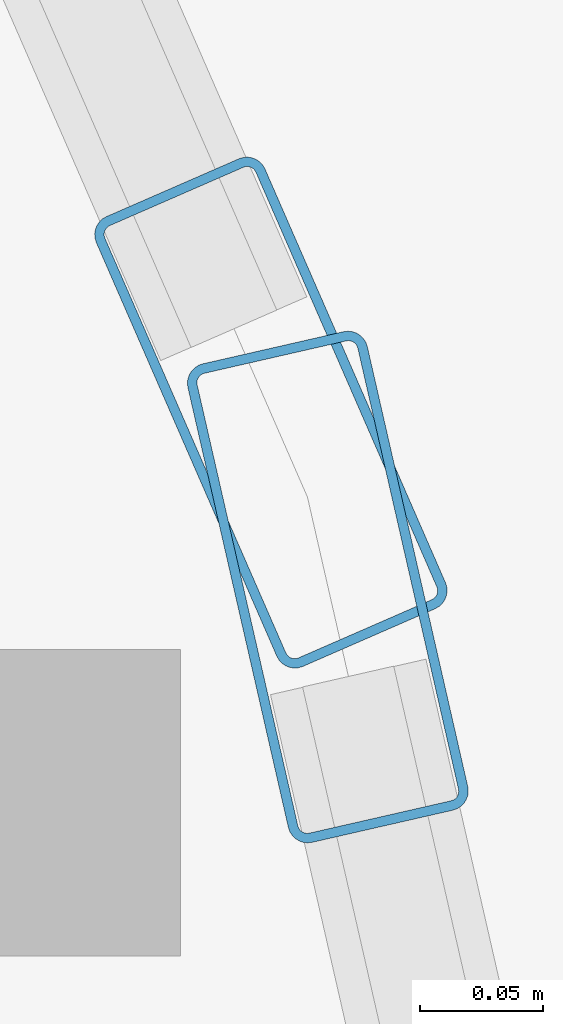
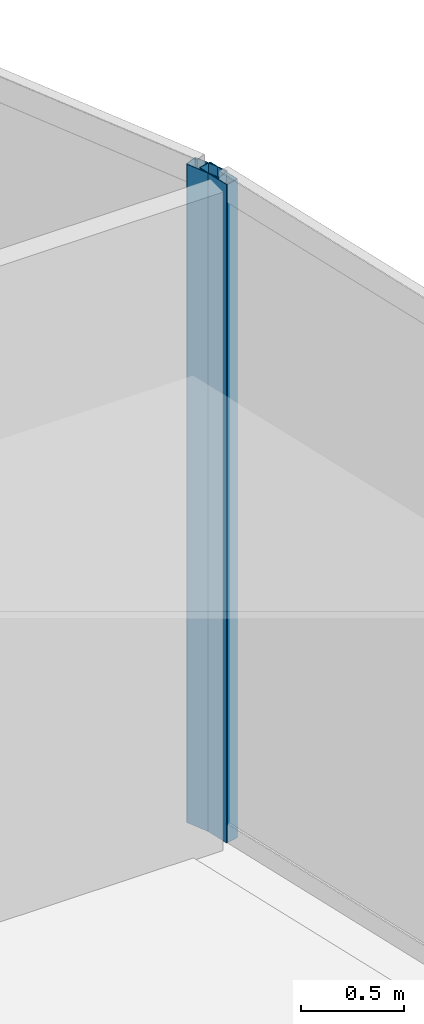
# One storey, part 22 of 34: 2 members, 2 elements without a shape of their own.
"""IFC4 building model written with IfcOpenShell, lengths in metres."""

from ifc_helpers import new_model, si_unit, direction, frame, origin, origin_2d, place, context, subcontext, project, spatial, hollow_rectangle, extrude, material, layer, layer_set, material_profile, profile_set, type_object, element, aggregate, save


model = new_model("IFC4")

# Units and contexts
model_context = context("Model", 3, precision=1e-05, world=origin(), true_north=direction((0.0, 1.0)))
body_context = subcontext(model_context, "Body", "Model", "MODEL_VIEW")
ifc_project = project(units=[si_unit("LENGTHUNIT", "METRE"), si_unit("AREAUNIT", "SQUARE_METRE"), si_unit("VOLUMEUNIT", "CUBIC_METRE"), si_unit("PLANEANGLEUNIT", "RADIAN"), si_unit("MASSUNIT", "GRAM", prefix="KILO")], contexts=[model_context])

# Site, building, storey
site_placement = place(None, origin())
site = spatial("IfcSite", under=ifc_project, at=site_placement, CompositionType="ELEMENT")
building_placement = place(site_placement, origin())
building = spatial("IfcBuilding", under=site, at=building_placement, Name="Qorvath Tower", CompositionType="ELEMENT")
storey_placement = place(building_placement, frame((0.0, 0.0, 276.60009765625)))
storey = spatial("IfcBuildingStorey", under=building, at=storey_placement, Name="L64", CompositionType="ELEMENT", Elevation=276.60009765625)

# Curtain wall, member
ifc_material_1 = material(Name="Anodised aluminium and triple low-E glass", Category="aluminium")
ifc_layer = layer(ifc_material_1, 0.179931640625)
ifc_layer_set = layer_set([ifc_layer], Name="CW-SYS-4")
curtain_wall_type = type_object("IfcCurtainWallType", Name="CW-SYS-4", PredefinedType="NOTDEFINED", material=ifc_layer_set)
curtain_wall_1_placement = place(storey_placement, origin())
curtain_wall_1 = element("IfcCurtainWall", 1, at=curtain_wall_1_placement, inside=storey, type_object=curtain_wall_type, Name="Curtain Wall CW-4 CW-T-L64-11.1", PredefinedType="NOTDEFINED")
ifc_material_2 = material(Name="Anodised aluminium 6063-T6", Category="aluminium")
ifc_material_profile = material_profile(ifc_material_2, hollow_rectangle(XDim=0.074951171875, YDim=0.199951171875, WallThickness=0.00390625, InnerFilletRadius=0.00390625, OuterFilletRadius=0.008056640625, at=origin_2d()), Name="CWM 200x75")
ifc_profile_set = profile_set([ifc_material_profile], Name="Anodised aluminium 6063-T6")
member_type = type_object("IfcMemberType", Name="CWM-200", PredefinedType="MULLION", material=ifc_profile_set)
member_1_placement = place(storey_placement, frame((-3.2080078125, 9.031005859375, 0.0), z_axis=(0.0, 0.0, 1.0), x_axis=(-0.974911683446, -0.222592024744, 0.0)))
member_1 = element("IfcMember", 2, at=member_1_placement, type_object=member_type, Name="CW-4 mullion 2", PredefinedType="MULLION", context=body_context, shape_type="SweptSolid", body=[
    extrude(hollow_rectangle(XDim=0.074951171875, YDim=0.199951171875, WallThickness=0.00390625, InnerFilletRadius=0.00390625, OuterFilletRadius=0.008056640625, at=origin_2d()), origin(), (0.0, 0.0, 1.0), 3.909912109375),
])
aggregate(curtain_wall_1, [member_1])

curtain_wall_2_placement = place(storey_placement, origin())
curtain_wall_2 = element("IfcCurtainWall", 3, at=curtain_wall_2_placement, inside=storey, type_object=curtain_wall_type, Name="Curtain Wall CW-4 CW-T-L64-12.1", PredefinedType="NOTDEFINED")
member_2_placement = place(storey_placement, frame((-3.231201171875, 9.10205078125, 0.0), z_axis=(0.0, 0.0, 1.0), x_axis=(-0.91655883173, -0.399899872441, 0.0)))
member_2 = element("IfcMember", 4, at=member_2_placement, type_object=member_type, Name="CW-4 mullion 1", PredefinedType="MULLION", context=body_context, shape_type="SweptSolid", body=[
    extrude(hollow_rectangle(XDim=0.074951171875, YDim=0.199951171875, WallThickness=0.00390625, InnerFilletRadius=0.00390625, OuterFilletRadius=0.008056640625, at=origin_2d()), origin(), (0.0, 0.0, 1.0), 3.909912109375),
])
aggregate(curtain_wall_2, [member_2])

save(model, "model.ifc")
